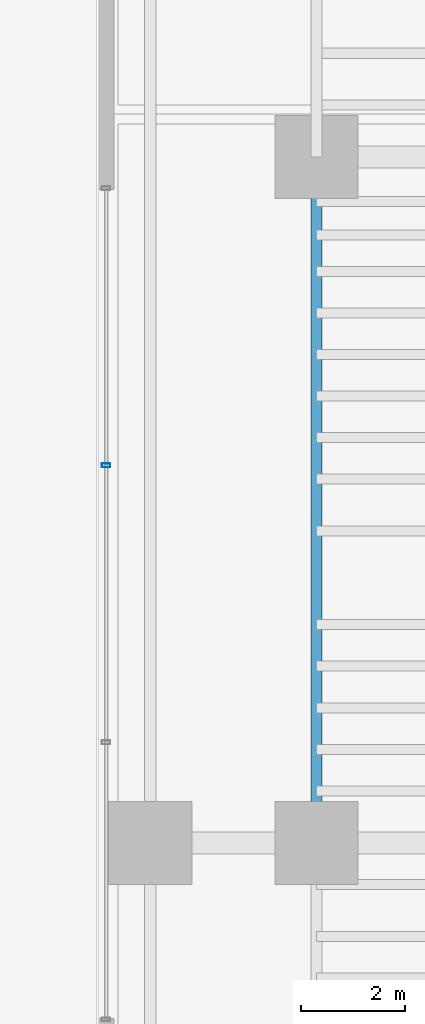
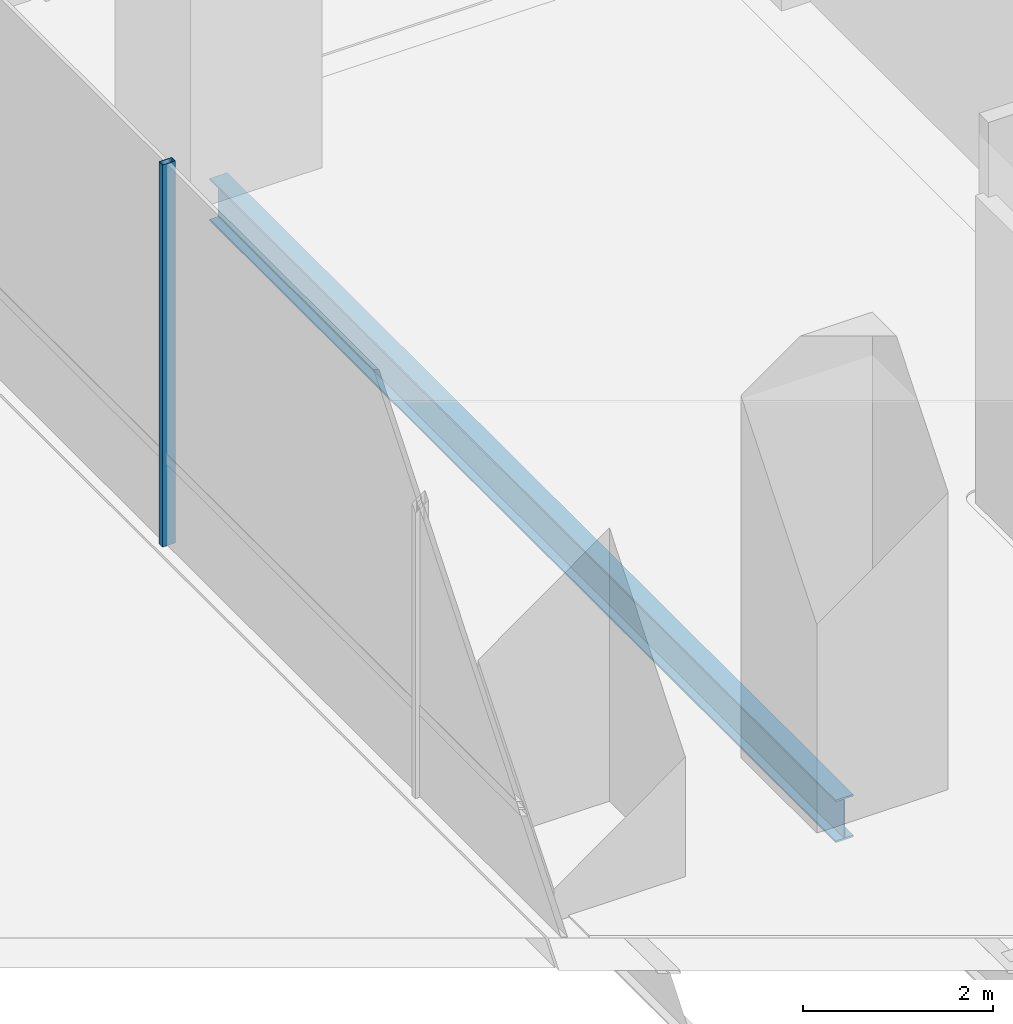
# One storey, part 6 of 27: 1 beam, 1 member, 1 element without a shape of its own.
"""IFC4 building model written with IfcOpenShell, lengths in metres."""

from ifc_helpers import new_model, si_unit, direction, frame, origin, origin_2d, place, context, subcontext, project, spatial, hollow_rectangle, i_section, extrude, source, transform, mapped, material, material_profile, profile_set, type_object, element, aggregate, save


model = new_model("IFC4")

# Units and contexts
model_context = context("Model", 3, precision=1e-05, world=origin(), true_north=direction((0.0, 1.0)))
body_context = subcontext(model_context, "Body", "Model", "MODEL_VIEW")
ifc_project = project(units=[si_unit("LENGTHUNIT", "METRE"), si_unit("AREAUNIT", "SQUARE_METRE"), si_unit("VOLUMEUNIT", "CUBIC_METRE"), si_unit("PLANEANGLEUNIT", "RADIAN"), si_unit("MASSUNIT", "GRAM", prefix="KILO")], contexts=[model_context])

# Site, building, storey
site_placement = place(None, origin())
site = spatial("IfcSite", under=ifc_project, at=site_placement, CompositionType="ELEMENT")
building_placement = place(site_placement, origin())
building = spatial("IfcBuilding", under=site, at=building_placement, Name="Valdorenza Pilgrim Sanctuary Tower", CompositionType="ELEMENT")
storey_placement = place(building_placement, origin())
storey = spatial("IfcBuildingStorey", under=building, at=storey_placement, Name="L00", CompositionType="ELEMENT", Elevation=0.0)

# Beam
ifc_material_1 = material(Name="Steel ASTM A992 Grade 50", Category="steel")
ifc_material_profile_1 = material_profile(ifc_material_1, i_section(OverallWidth=0.214111328125, OverallDepth=0.549072265625, WebThickness=0.0146484375, FlangeThickness=0.023681640625, at=origin_2d()), Name="W21X93")
ifc_profile_set_1 = profile_set([ifc_material_profile_1], Name="Steel ASTM A992 Grade 50")
beam_type = type_object("IfcBeamType", Name="STR-BM-SPN-W21A", PredefinedType="SPANDREL", material=ifc_profile_set_1)
shared_shape_1 = source(origin(), body_context, "Body", "SweptSolid", [
    extrude(i_section(OverallWidth=0.214111328125, OverallDepth=0.549072265625, WebThickness=0.0146484375, FlangeThickness=0.023681640625, at=origin_2d()), origin(), (0.0, 0.0, 1.0), 13.2001953125),
])
beam_placement = place(storey_placement, frame((-29.800048828125, -2.60009765625, -0.554443359375), z_axis=(0.0, 1.0, 0.0), x_axis=(-1.0, 0.0, 0.0)))
element("IfcBeam", 1, at=beam_placement, inside=storey, type_object=beam_type, Name="L00 Spandrel Beam WA-W-M0N1", PredefinedType="SPANDREL", context=body_context, shape_type="MappedRepresentation", body=[
    mapped(shared_shape_1, transform((0.0, 0.0, 0.0), x_axis=(1.0, 0.0, 0.0), y_axis=(0.0, 1.0, 0.0), z_axis=(0.0, 0.0, 1.0), scale=1.0)),
])

# Curtain wall, member
ifc_material_2 = material(Name="Curtain-wall IGU glazing", Category="glass")
curtain_wall_type = type_object("IfcCurtainWallType", Name="CW-SYS-01", PredefinedType="NOTDEFINED", material=ifc_material_2)
curtain_wall_placement = place(storey_placement, origin())
curtain_wall = element("IfcCurtainWall", 2, at=curtain_wall_placement, inside=storey, type_object=curtain_wall_type, Name="L00 Curtain Wall CW-POD-L00-WW", PredefinedType="NOTDEFINED")
ifc_material_3 = material(Name="Anodised aluminium AW-6060", Category="aluminium")
ifc_material_profile_2 = material_profile(ifc_material_3, hollow_rectangle(XDim=0.074951171875, YDim=0.159912109375, WallThickness=0.00390625, at=origin_2d()), Name="ALU-M 160x75x4")
ifc_profile_set_2 = profile_set([ifc_material_profile_2], Name="Anodised aluminium AW-6060")
member_type = type_object("IfcMemberType", Name="CW-MUL-01", PredefinedType="MULLION", material=ifc_profile_set_2)
shared_shape_2 = source(origin(), body_context, "Body", "SweptSolid", [
    extrude(hollow_rectangle(XDim=0.074951171875, YDim=0.159912109375, WallThickness=0.00390625, at=origin_2d()), origin(), (0.0, 0.0, 1.0), 4.919921875),
])
member_placement = place(storey_placement, frame((-33.85009765625, 4.666748046875, 0.0), z_axis=(0.0, 0.0, 1.0), x_axis=(0.0, 1.0, 0.0)))
member = element("IfcMember", 3, at=member_placement, type_object=member_type, Name="CW-POD-L00-WW Mullion 3", PredefinedType="MULLION", context=body_context, shape_type="MappedRepresentation", body=[
    mapped(shared_shape_2, transform((0.0, 0.0, 0.0), x_axis=(1.0, 0.0, 0.0), y_axis=(0.0, 1.0, 0.0), z_axis=(0.0, 0.0, 1.0), scale=1.0)),
])
aggregate(curtain_wall, [member])

save(model, "model.ifc")
